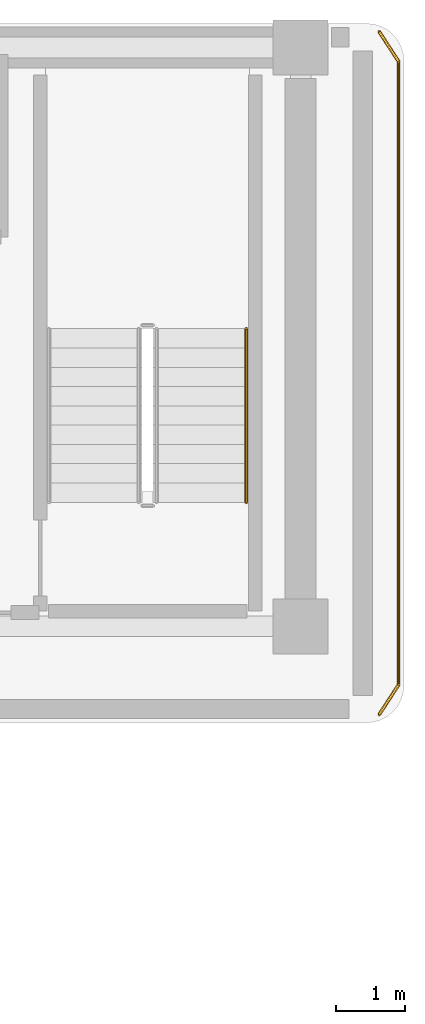
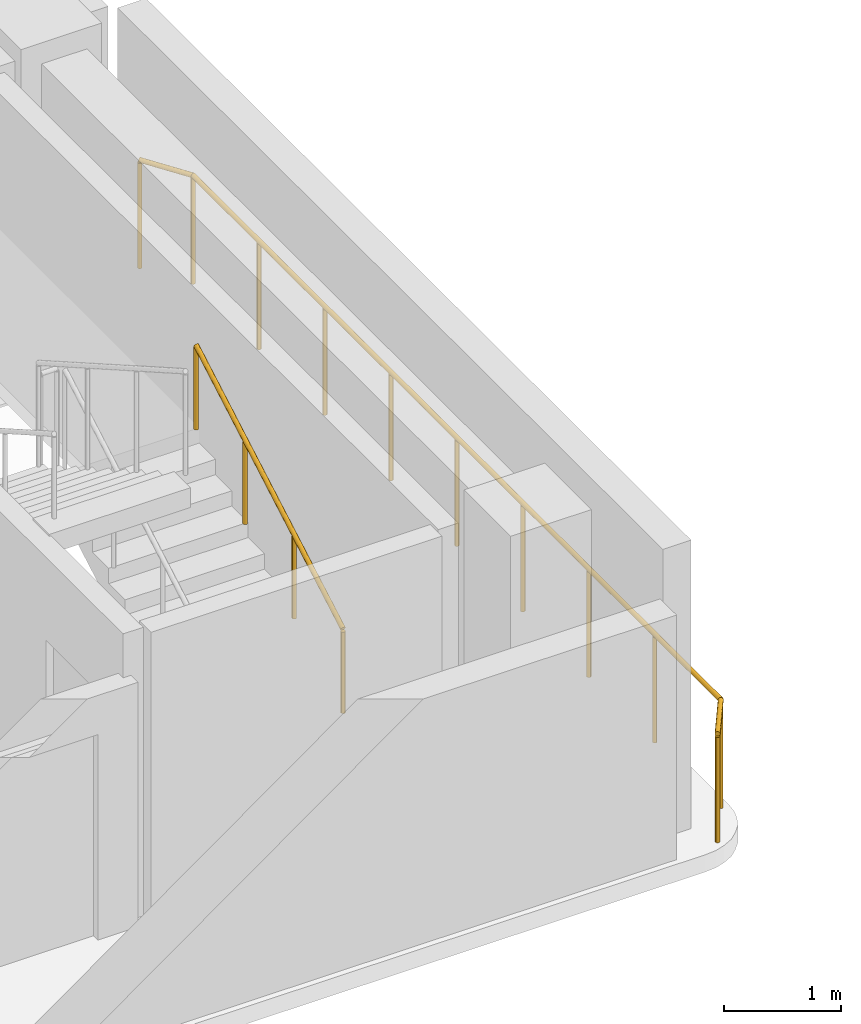
# One storey, part 5 of 5: 4 railings.
"""IFC4 building model written with IfcOpenShell, lengths in metres."""

from ifc_helpers import new_model, si_unit, direction, frame, origin, origin_2d, place, context, subcontext, project, spatial, circle, extrude, material, layer, layer_set, type_object, element, save


model = new_model("IFC4")

# Units and contexts
model_context = context("Model", 3, precision=1e-05, world=origin(), true_north=direction((0.0, 1.0)))
body_context = subcontext(model_context, "Body", "Model", "MODEL_VIEW")
ifc_project = project(units=[si_unit("LENGTHUNIT", "METRE"), si_unit("AREAUNIT", "SQUARE_METRE"), si_unit("VOLUMEUNIT", "CUBIC_METRE"), si_unit("PLANEANGLEUNIT", "RADIAN"), si_unit("MASSUNIT", "GRAM", prefix="KILO")], contexts=[model_context])

# Site, building, storey
site_placement = place(None, origin())
site = spatial("IfcSite", under=ifc_project, at=site_placement, CompositionType="ELEMENT")
building_placement = place(site_placement, origin())
building = spatial("IfcBuilding", under=site, at=building_placement, Name="Kuzgunbayir Cultural Tower", CompositionType="ELEMENT")
storey_placement = place(building_placement, frame((0.0, 0.0, 231.199951171875)))
storey = spatial("IfcBuildingStorey", under=building, at=storey_placement, Name="L68", CompositionType="ELEMENT", Elevation=231.199951171875)

# Railings
ifc_material_1 = material(Name="Laminated Glass and Stainless Steel", Category="steel")
ifc_layer_1 = layer(ifc_material_1, 0.080078125)
ifc_layer_set_1 = layer_set([ifc_layer_1], Name="Laminated Glass and Stainless Steel")
railing_type_1 = type_object("IfcRailingType", Name="RLG-BAL-115", PredefinedType="BALUSTRADE", material=ifc_layer_set_1)
railing_1_placement = place(storey_placement, frame((28.0400390625, 42.429931640625, 0.0)))
element("IfcRailing", 1, at=railing_1_placement, inside=storey, type_object=railing_type_1, Name="L68 Perimeter Edge Guard 1", PredefinedType="BALUSTRADE", context=body_context, shape_type="SweptSolid", body=[
    extrude(circle(Radius=0.02392578125, at=origin_2d()), frame((0.0, 0.0, 1.1259765625), z_axis=(0.545774188207, -0.837932297675, 0.0), x_axis=(0.837932297675, 0.545774188207, 0.0)), (0.0, 0.0, 1.0), 0.51318359375),
    extrude(circle(Radius=0.02099609375, at=origin_2d()), origin(), (0.0, 0.0, 1.0), 1.101806640625),
    extrude(circle(Radius=0.02099609375, at=origin_2d()), frame((0.280029296875, -0.429931640625, 0.0)), (0.0, 0.0, 1.0), 1.101806640625),
])
railing_2_placement = place(storey_placement, frame((28.320068359375, 42.0, 0.0)))
element("IfcRailing", 2, at=railing_2_placement, inside=storey, type_object=railing_type_1, Name="L68 Perimeter Edge Guard 2", PredefinedType="BALUSTRADE", context=body_context, shape_type="SweptSolid", body=[
    extrude(circle(Radius=0.02392578125, at=origin_2d()), frame((0.0, 0.0, 1.1259765625), z_axis=(0.0, -1.0, 0.0), x_axis=(1.0, 0.0, 0.0)), (0.0, 0.0, 1.0), 9.050048828125),
    extrude(circle(Radius=0.02099609375, at=origin_2d()), origin(), (0.0, 0.0, 1.0), 1.101806640625),
    extrude(circle(Radius=0.02099609375, at=origin_2d()), frame((0.0, -1.13134765625, 0.0)), (0.0, 0.0, 1.0), 1.101806640625),
    extrude(circle(Radius=0.02099609375, at=origin_2d()), frame((0.0, -2.262451171875, 0.0)), (0.0, 0.0, 1.0), 1.101806640625),
    extrude(circle(Radius=0.02099609375, at=origin_2d()), frame((0.0, -3.393798828125, 0.0)), (0.0, 0.0, 1.0), 1.101806640625),
    extrude(circle(Radius=0.02099609375, at=origin_2d()), frame((0.0, -4.52490234375, 0.0)), (0.0, 0.0, 1.0), 1.101806640625),
    extrude(circle(Radius=0.02099609375, at=origin_2d()), frame((0.0, -5.65625, 0.0)), (0.0, 0.0, 1.0), 1.101806640625),
    extrude(circle(Radius=0.02099609375, at=origin_2d()), frame((0.0, -6.78759765625, 0.0)), (0.0, 0.0, 1.0), 1.101806640625),
    extrude(circle(Radius=0.02099609375, at=origin_2d()), frame((0.0, -7.918701171875, 0.0)), (0.0, 0.0, 1.0), 1.101806640625),
    extrude(circle(Radius=0.02099609375, at=origin_2d()), frame((0.0, -9.050048828125, 0.0)), (0.0, 0.0, 1.0), 1.101806640625),
])
railing_3_placement = place(storey_placement, frame((28.320068359375, 32.949951171875, 0.0)))
element("IfcRailing", 3, at=railing_3_placement, inside=storey, type_object=railing_type_1, Name="L68 Perimeter Edge Guard 3", PredefinedType="BALUSTRADE", context=body_context, shape_type="SweptSolid", body=[
    extrude(circle(Radius=0.02392578125, at=origin_2d()), frame((0.0, 0.0, 1.1259765625), z_axis=(-0.545774188207, -0.837932297675, 0.0), x_axis=(0.837932297675, -0.545774188207, 0.0)), (0.0, 0.0, 1.0), 0.51318359375),
    extrude(circle(Radius=0.02099609375, at=origin_2d()), origin(), (0.0, 0.0, 1.0), 1.101806640625),
    extrude(circle(Radius=0.02099609375, at=origin_2d()), frame((-0.280029296875, -0.429931640625, 0.0)), (0.0, 0.0, 1.0), 1.101806640625),
])
ifc_material_2 = material(Name="Brushed Stainless Steel", Category="steel")
ifc_layer_2 = layer(ifc_material_2, 0.050048828125)
ifc_layer_set_2 = layer_set([ifc_layer_2], Name="Brushed Stainless Steel")
railing_type_2 = type_object("IfcRailingType", Name="RLG-STAIR-HANDRAIL", PredefinedType="HANDRAIL", material=ifc_layer_set_2)
railing_4_placement = place(storey_placement, frame((26.110107421875, 35.60009765625, 0.16015625)))
element("IfcRailing", 4, at=railing_4_placement, inside=storey, type_object=railing_type_2, Name="L68 ST-2 stair handrail 1", PredefinedType="HANDRAIL", context=body_context, shape_type="SweptSolid", body=[
    extrude(circle(Radius=0.02392578125, at=origin_2d()), frame((0.0, 0.0, 0.8759765625), z_axis=(0.0, 0.868253494771, 0.496120820787), x_axis=(-1.0, 0.0, 0.0)), (0.0, 0.0, 1.0), 2.90234375),
    extrude(circle(Radius=0.02099609375, at=origin_2d()), origin(), (0.0, 0.0, 1.0), 0.851806640625),
    extrude(circle(Radius=0.02099609375, at=origin_2d()), frame((0.0, 0.840087890625, 0.47998046875)), (0.0, 0.0, 1.0), 0.851806640625),
    extrude(circle(Radius=0.02099609375, at=origin_2d()), frame((0.0, 1.679931640625, 0.9599609375)), (0.0, 0.0, 1.0), 0.851806640625),
    extrude(circle(Radius=0.02099609375, at=origin_2d()), frame((0.0, 2.52001953125, 1.43994140625)), (0.0, 0.0, 1.0), 0.851806640625),
])

save(model, "model.ifc")
